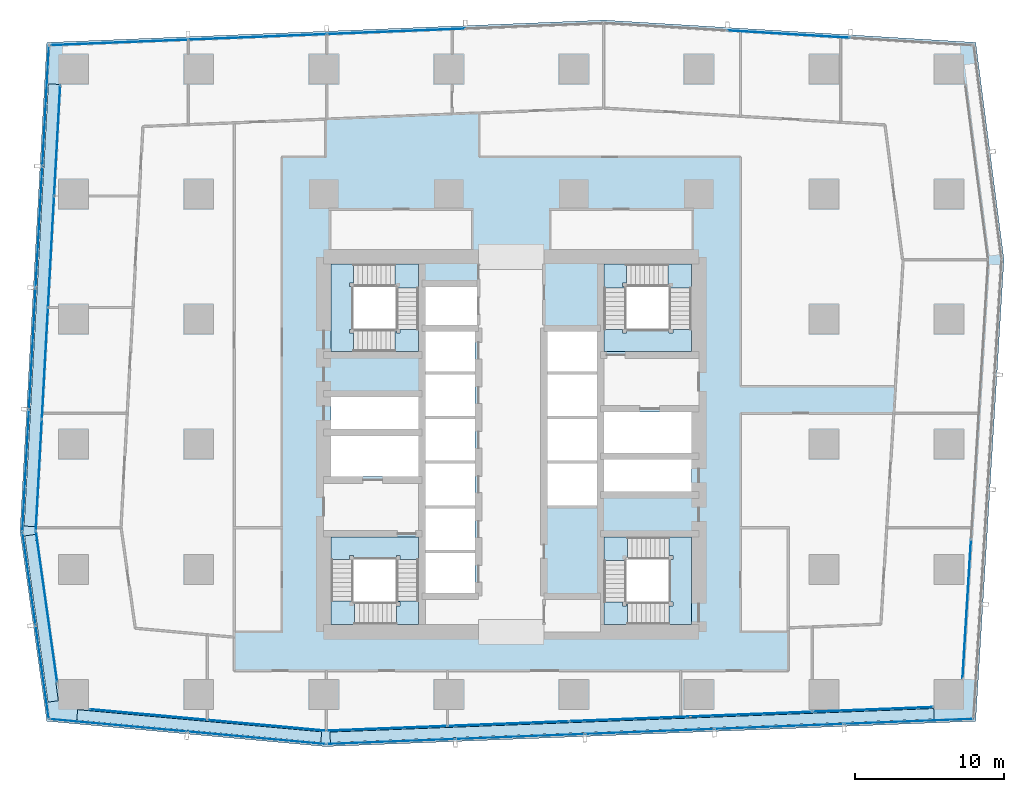
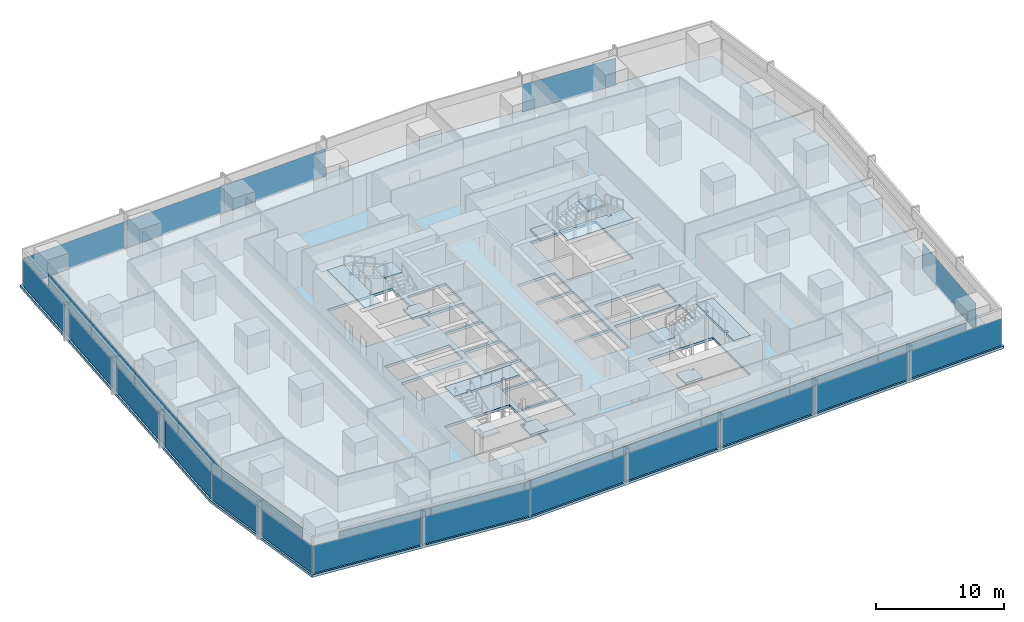
# One storey, part 27 of 39: 34 plates, 13 slabs, 15 elements without a shape of their own.
"""IFC4 building model written with IfcOpenShell, lengths in metres."""

import ifcopenshell
import ifcopenshell.guid

model = None  # the IFC model being written
_history = None  # IfcOwnerHistory: only IFC2X3 demands one
_inside = {}  # id of a spatial element -> (the spatial element, [elements in it])
_under = {}  # id of a project, library or spatial element -> (it, [spatial elements below it])
_declared = {}  # id of a project -> (the project, [libraries it declares])
_typed = {}  # id of a type object -> (the type object, [elements of that type])
_made_of = {}  # id of a material, layer set ... -> (it, [elements and type objects made of it])


def new_model(schema):
    """Start an empty IFC model of exactly this schema.

    Asked for "IFC4X3", IfcOpenShell would pick the latest addendum, in which some entities
    have other attributes; the version numbers below select the first issue.
    IFC2X3 requires an IfcOwnerHistory on every rooted entity: one is made here for all.
    """
    global model, _history
    if schema == "IFC4X3":
        model = ifcopenshell.file(schema_version=(4, 3, 0, 0))
    else:
        model = ifcopenshell.file(schema=schema)
    _inside.clear()
    _under.clear()
    _declared.clear()
    _typed.clear()
    _made_of.clear()
    _history = None
    if model.schema == "IFC2X3":
        org = make("IfcOrganization", Name="unknown")
        user = make(
            "IfcPersonAndOrganization",
            ThePerson=make("IfcPerson", FamilyName="unknown"),
            TheOrganization=org,
        )
        app = make(
            "IfcApplication",
            ApplicationDeveloper=org,
            Version="unknown",
            ApplicationFullName="unknown",
            ApplicationIdentifier="unknown",
        )
        _history = make(
            "IfcOwnerHistory",
            OwningUser=user,
            OwningApplication=app,
            ChangeAction="ADDED",
            CreationDate=0,
        )
    return model


def make(cls, **values):
    """One entity of the class cls with the attributes given. An attribute that is None is left unset."""
    return model.create_entity(
        cls, **{name: value for name, value in values.items() if value is not None}
    )


def rooted(cls, **values):
    """An entity with a GlobalId (a new one), such as an element, a storey or a relation."""
    return make(cls, GlobalId=ifcopenshell.guid.new(), OwnerHistory=_history, **values)


def si_unit(unit_type, name, prefix=None):
    """IfcSIUnit, for example si_unit("LENGTHUNIT", "METRE", prefix="MILLI")."""
    return make("IfcSIUnit", UnitType=unit_type, Prefix=prefix, Name=name)


def assignment(units):
    """IfcUnitAssignment: the units of a project."""
    return None if units is None else make("IfcUnitAssignment", Units=units)


def point(xyz):
    """IfcCartesianPoint."""
    return None if xyz is None else make("IfcCartesianPoint", Coordinates=xyz)


def direction(xyz):
    """IfcDirection."""
    return None if xyz is None else make("IfcDirection", DirectionRatios=xyz)


def frame(location, z_axis=None, x_axis=None):
    """IfcAxis2Placement3D, a coordinate frame: its origin and axes. An axis left out is left unset."""
    return make(
        "IfcAxis2Placement3D",
        Location=point(location),
        Axis=direction(z_axis),
        RefDirection=direction(x_axis),
    )


def frame_2d(location, x_axis=None):
    """IfcAxis2Placement2D, a coordinate frame in the plane: its origin and x axis."""
    return make(
        "IfcAxis2Placement2D", Location=point(location), RefDirection=direction(x_axis)
    )


def origin():
    """The frame at (0, 0, 0) with its axes left unset."""
    return frame((0.0, 0.0, 0.0))


def origin_2d():
    """The frame at (0, 0) in the plane with its x axis left unset."""
    return frame_2d((0.0, 0.0))


def place(relative_to, where):
    """IfcLocalPlacement: puts the frame where relative to a parent placement (None: the world)."""
    return make(
        "IfcLocalPlacement", PlacementRelTo=relative_to, RelativePlacement=where
    )


def context(
    kind, dimensions, precision=None, world=None, true_north=None, identifier=None
):
    """IfcGeometricRepresentationContext, for example the 3D "Model" context."""
    return make(
        "IfcGeometricRepresentationContext",
        ContextIdentifier=identifier,
        ContextType=kind,
        CoordinateSpaceDimension=dimensions,
        Precision=precision,
        WorldCoordinateSystem=world,
        TrueNorth=true_north,
    )


def subcontext(parent, identifier, kind, view, scale=None):
    """IfcGeometricRepresentationSubContext, for example "Body" below "Model"."""
    return make(
        "IfcGeometricRepresentationSubContext",
        ContextIdentifier=identifier,
        ContextType=kind,
        ParentContext=parent,
        TargetScale=scale,
        TargetView=view,
    )


def project(units=None, contexts=None):
    """IfcProject with its units and contexts."""
    return rooted(
        "IfcProject",
        Name="project",
        RepresentationContexts=contexts,
        UnitsInContext=assignment(units),
    )


def spatial(cls, under=None, at=None, **own):
    """A site, building, storey or space (cls), placed at a placement, below another one or the project."""
    s = rooted(cls, ObjectPlacement=at, **own)
    if under is not None:
        _under.setdefault(under.id(), (under, []))[1].append(s)
    return s


def polyline(points):
    """IfcPolyline through the points."""
    return make("IfcPolyline", Points=[point(p) for p in points])


def profile(cls, at=None, kind="AREA", **sizes):
    """A parametric profile (cls). Its sizes go by their IFC names, for example OverallWidth=200.0."""
    return make(cls, ProfileType=kind, Position=at, **sizes)


def rectangle(**sizes):
    """IfcRectangleProfileDef."""
    return profile("IfcRectangleProfileDef", **sizes)


def outline(outer, holes=None, kind="AREA"):
    """IfcArbitraryClosedProfileDef: a profile drawn as a closed curve; with holes, ...WithVoids."""
    if holes is None:
        return make("IfcArbitraryClosedProfileDef", ProfileType=kind, OuterCurve=outer)
    return make(
        "IfcArbitraryProfileDefWithVoids",
        ProfileType=kind,
        OuterCurve=outer,
        InnerCurves=holes,
    )


def extrude(swept, where, along, depth):
    """IfcExtrudedAreaSolid: the profile swept, set in the frame where, extruded along a direction by depth."""
    return make(
        "IfcExtrudedAreaSolid",
        SweptArea=swept,
        Position=where,
        ExtrudedDirection=direction(along),
        Depth=depth,
    )


def shape(context_of_items, identifier, shape_type, items):
    """IfcShapeRepresentation: the items that make up one representation, for example the "Body"."""
    return make(
        "IfcShapeRepresentation",
        ContextOfItems=context_of_items,
        RepresentationIdentifier=identifier,
        RepresentationType=shape_type,
        Items=items,
    )


def material(Name=None, Category=None):
    """IfcMaterial."""
    return make("IfcMaterial", Name=Name, Category=Category)


def layer(
    of_material, thickness, ventilated=None, Name=None, Category=None, Priority=None
):
    """IfcMaterialLayer: one layer of a wall or slab, of a material (None: an air gap)."""
    return make(
        "IfcMaterialLayer",
        Material=of_material,
        LayerThickness=thickness,
        IsVentilated=ventilated,
        Name=Name,
        Category=Category,
        Priority=Priority,
    )


def layer_set(layers, Name=None):
    """IfcMaterialLayerSet."""
    return make("IfcMaterialLayerSet", MaterialLayers=layers, LayerSetName=Name)


def made_of(thing, what):
    """Note that an element or type object is made of a material, layer set ...; save() writes the relation."""
    if what is not None:
        _made_of.setdefault(what.id(), (what, []))[1].append(thing)
    return thing


def type_object(cls, material=None, **own):
    """A type object (cls), such as IfcWallType, which elements share."""
    return made_of(rooted(cls, **own), material)


def element(
    cls,
    number,
    at=None,
    inside=None,
    cuts=None,
    type_object=None,
    material=None,
    context=None,
    identifier="Body",
    shape_type=None,
    held_by="IfcProductDefinitionShape",
    body=None,
    shapes=None,
    **own,
):
    """One element of the class cls, such as IfcWall. Its Tag is "e" and its number.

    at: its placement. inside: the storey or other place that contains it. cuts: it is an
    opening in that element (IfcRelVoidsElement). A single representation is given by context,
    identifier, shape_type and body (its items); several are given by shapes. held_by: the class
    of the entity that holds the representations. save() writes the other relations.
    """
    e = rooted(cls, Tag="e%d" % number, ObjectPlacement=at, **own)
    if body is not None:
        shapes = [shape(context, identifier, shape_type, body)]
    if shapes is not None:
        e.Representation = make(held_by, Representations=shapes)
    if inside is not None:
        _inside.setdefault(inside.id(), (inside, []))[1].append(e)
    if cuts is not None:
        rooted(
            "IfcRelVoidsElement", RelatingBuildingElement=cuts, RelatedOpeningElement=e
        )
    if type_object is not None:
        _typed.setdefault(type_object.id(), (type_object, []))[1].append(e)
    return made_of(e, material)


def aggregate(whole, parts):
    """IfcRelAggregates: a whole, such as a stair, and the parts it consists of."""
    return rooted("IfcRelAggregates", RelatingObject=whole, RelatedObjects=parts)


def save(model, path):
    """Write the relations noted so far, then the file.

    IfcRelAggregates (storeys below a building ...), IfcRelContainedInSpatialStructure (elements
    in a storey), IfcRelDefinesByType, IfcRelAssociatesMaterial and IfcRelDeclares: one each for
    every whole, place, type object, material and project.
    """
    for whole, parts in _under.values():
        aggregate(whole, parts)
    for where, things in _inside.values():
        rooted(
            "IfcRelContainedInSpatialStructure",
            RelatedElements=things,
            RelatingStructure=where,
        )
    for kind, things in _typed.values():
        rooted("IfcRelDefinesByType", RelatedObjects=things, RelatingType=kind)
    for what, things in _made_of.values():
        rooted("IfcRelAssociatesMaterial", RelatedObjects=things, RelatingMaterial=what)
    for by, libraries in _declared.values():
        rooted("IfcRelDeclares", RelatingContext=by, RelatedDefinitions=libraries)
    model.write(path)


model = new_model("IFC4")

# Units and contexts
model_context = context("Model", 3, precision=1e-05, world=origin(), true_north=direction((0.0, 1.0)))
body_context = subcontext(model_context, "Body", "Model", "MODEL_VIEW")
ifc_project = project(units=[si_unit("LENGTHUNIT", "METRE"), si_unit("AREAUNIT", "SQUARE_METRE"), si_unit("VOLUMEUNIT", "CUBIC_METRE"), si_unit("PLANEANGLEUNIT", "RADIAN"), si_unit("MASSUNIT", "GRAM", prefix="KILO")], contexts=[model_context])

# Site, building, storey
site_placement = place(None, origin())
site = spatial("IfcSite", under=ifc_project, at=site_placement, CompositionType="ELEMENT")
building_placement = place(site_placement, origin())
building = spatial("IfcBuilding", under=site, at=building_placement, Name="Rekha Terrace Tower", CompositionType="ELEMENT")
storey_placement = place(building_placement, frame((0.0, 0.0, 147.800048828125)))
storey = spatial("IfcBuildingStorey", under=building, at=storey_placement, Name="L37", CompositionType="ELEMENT", Elevation=147.800048828125)

# Curtain wall, plates
ifc_material_1 = material(Name="Aluminium framing", Category="aluminium")
curtain_wall_type_1 = type_object("IfcCurtainWallType", Name="CW1 double skin inner glazing", PredefinedType="USERDEFINED", material=ifc_material_1)
curtain_wall_1_placement = place(storey_placement, origin())
curtain_wall_1 = element("IfcCurtainWall", 1, at=curtain_wall_1_placement, inside=storey, type_object=curtain_wall_type_1, Name="CW1 double skin inner glazing", ObjectType="DOUBLE SKIN INNER GLAZING", PredefinedType="USERDEFINED")
ifc_material_2 = material(Name="Double-glazed low-e unit 32", Category="glass")
ifc_layer_1 = layer(ifc_material_2, 0.031982421875)
ifc_layer_set_1 = layer_set([ifc_layer_1], Name="Double-glazed low-e unit 32")
plate_type_1 = type_object("IfcPlateType", Name="CW1 jumbo vision panel, double-glazed low-e unit 32", PredefinedType="CURTAIN_PANEL", material=ifc_layer_set_1)
plate_1_placement = place(storey_placement, frame((13.418701171875, 15.445068359375, 0.0), z_axis=(0.0, 0.0, 1.0), x_axis=(0.995901923142, -0.090439811381, 0.0)))
plate_1 = element("IfcPlate", 2, at=plate_1_placement, type_object=plate_type_1, Name="CW1 panel 1.1", PredefinedType="CURTAIN_PANEL", context=body_context, shape_type="SweptSolid", body=[
    extrude(rectangle(XDim=7.898681640625, YDim=0.031982421875, at=origin_2d()), origin(), (0.0, 0.0, 1.0), 2.60009765625),
])
plate_2_placement = place(storey_placement, frame((21.382080078125, 14.721923828125, 0.0), z_axis=(0.0, 0.0, 1.0), x_axis=(0.995901923142, -0.090439811381, 0.0)))
plate_2 = element("IfcPlate", 3, at=plate_2_placement, type_object=plate_type_1, Name="CW1 panel 2.1", PredefinedType="CURTAIN_PANEL", context=body_context, shape_type="SweptSolid", body=[
    extrude(rectangle(XDim=7.963623046875, YDim=0.031982421875, at=origin_2d()), origin(), (0.0, 0.0, 1.0), 2.60009765625),
])
aggregate(curtain_wall_1, [plate_1, plate_2])

curtain_wall_2_placement = place(storey_placement, origin())
curtain_wall_2 = element("IfcCurtainWall", 4, at=curtain_wall_2_placement, inside=storey, type_object=curtain_wall_type_1, Name="CW1 double skin inner glazing", ObjectType="DOUBLE SKIN INNER GLAZING", PredefinedType="USERDEFINED")
plate_3_placement = place(storey_placement, frame((29.446533203125, 14.521484375, 0.0), z_axis=(0.0, 0.0, 1.0), x_axis=(0.999243498918, 0.038889971328, 0.0)))
plate_3 = element("IfcPlate", 5, at=plate_3_placement, type_object=plate_type_1, Name="CW1 panel 1.1", PredefinedType="CURTAIN_PANEL", context=body_context, shape_type="SweptSolid", body=[
    extrude(rectangle(XDim=8.074462890625, YDim=0.031982421875, at=origin_2d()), origin(), (0.0, 0.0, 1.0), 2.60009765625),
])
plate_4_placement = place(storey_placement, frame((37.59619140625, 14.838623046875, 0.0), z_axis=(0.0, 0.0, 1.0), x_axis=(0.999243498918, 0.038889971328, 0.0)))
plate_4 = element("IfcPlate", 6, at=plate_4_placement, type_object=plate_type_1, Name="CW1 panel 2.1", PredefinedType="CURTAIN_PANEL", context=body_context, shape_type="SweptSolid", body=[
    extrude(rectangle(XDim=8.10693359375, YDim=0.031982421875, at=origin_2d()), origin(), (0.0, 0.0, 1.0), 2.60009765625),
])
plate_5_placement = place(storey_placement, frame((45.761962890625, 15.156494140625, 0.0), z_axis=(0.0, 0.0, 1.0), x_axis=(0.999243498918, 0.038889971328, 0.0)))
plate_5 = element("IfcPlate", 7, at=plate_5_placement, type_object=plate_type_1, Name="CW1 panel 3.1", PredefinedType="CURTAIN_PANEL", context=body_context, shape_type="SweptSolid", body=[
    extrude(rectangle(XDim=8.10693359375, YDim=0.031982421875, at=origin_2d()), origin(), (0.0, 0.0, 1.0), 2.60009765625),
])
plate_6_placement = place(storey_placement, frame((53.927734375, 15.47412109375, 0.0), z_axis=(0.0, 0.0, 1.0), x_axis=(0.999243498918, 0.038889971328, 0.0)))
plate_6 = element("IfcPlate", 8, at=plate_6_placement, type_object=plate_type_1, Name="CW1 panel 4.1", PredefinedType="CURTAIN_PANEL", context=body_context, shape_type="SweptSolid", body=[
    extrude(rectangle(XDim=8.10693359375, YDim=0.031982421875, at=origin_2d()), origin(), (0.0, 0.0, 1.0), 2.60009765625),
])
plate_7_placement = place(storey_placement, frame((62.0771484375, 15.791259765625, 0.0), z_axis=(0.0, 0.0, 1.0), x_axis=(0.999243498918, 0.038889971328, 0.0)))
plate_7 = element("IfcPlate", 9, at=plate_7_placement, type_object=plate_type_1, Name="CW1 panel 5.1", PredefinedType="CURTAIN_PANEL", context=body_context, shape_type="SweptSolid", body=[
    extrude(rectangle(XDim=8.074462890625, YDim=0.031982421875, at=origin_2d()), origin(), (0.0, 0.0, 1.0), 2.60009765625),
])
aggregate(curtain_wall_2, [plate_3, plate_4, plate_5, plate_6, plate_7])

# Curtain wall, plate
curtain_wall_3_placement = place(storey_placement, origin())
curtain_wall_3 = element("IfcCurtainWall", 10, at=curtain_wall_3_placement, inside=storey, type_object=curtain_wall_type_1, Name="CW1 double skin inner glazing", ObjectType="DOUBLE SKIN INNER GLAZING", PredefinedType="USERDEFINED")
plate_8_placement = place(storey_placement, frame((68.399658203125, 22.53271484375, 0.0), z_axis=(0.0, 0.0, 1.0), x_axis=(0.061159803131, 0.998127987024, 0.0)))
plate_8 = element("IfcPlate", 11, at=plate_8_placement, type_object=plate_type_1, Name="CW1 panel 1.1", PredefinedType="CURTAIN_PANEL", context=body_context, shape_type="SweptSolid", body=[
    extrude(rectangle(XDim=9.30224609375, YDim=0.031982421875, at=origin_2d()), origin(), (0.0, 0.0, 1.0), 2.60009765625),
])
aggregate(curtain_wall_3, [plate_8])

# Curtain wall, plates
curtain_wall_4_placement = place(storey_placement, origin())
curtain_wall_4 = element("IfcCurtainWall", 12, at=curtain_wall_4_placement, inside=storey, type_object=curtain_wall_type_1, Name="CW1 double skin inner glazing", ObjectType="DOUBLE SKIN INNER GLAZING", PredefinedType="USERDEFINED")
plate_9_placement = place(storey_placement, frame((7.300537109375, 54.013427734375, 0.0), z_axis=(0.0, 0.0, 1.0), x_axis=(-0.054742352707, -0.99850051318, 0.0)))
plate_9 = element("IfcPlate", 13, at=plate_9_placement, type_object=plate_type_1, Name="CW1 panel 1.1", PredefinedType="CURTAIN_PANEL", context=body_context, shape_type="SweptSolid", body=[
    extrude(rectangle(XDim=7.404052734375, YDim=0.031982421875, at=origin_2d()), origin(), (0.0, 0.0, 1.0), 2.60009765625),
])
plate_10_placement = place(storey_placement, frame((6.890625, 46.539306640625, 0.0), z_axis=(0.0, 0.0, 1.0), x_axis=(-0.054742352707, -0.99850051318, 0.0)))
plate_10 = element("IfcPlate", 14, at=plate_10_placement, type_object=plate_type_1, Name="CW1 panel 2.1", PredefinedType="CURTAIN_PANEL", context=body_context, shape_type="SweptSolid", body=[
    extrude(rectangle(XDim=7.4365234375, YDim=0.031982421875, at=origin_2d()), origin(), (0.0, 0.0, 1.0), 2.60009765625),
])
plate_11_placement = place(storey_placement, frame((6.47998046875, 39.048828125, 0.0), z_axis=(0.0, 0.0, 1.0), x_axis=(-0.054742352707, -0.99850051318, 0.0)))
plate_11 = element("IfcPlate", 15, at=plate_11_placement, type_object=plate_type_1, Name="CW1 panel 3.1", PredefinedType="CURTAIN_PANEL", context=body_context, shape_type="SweptSolid", body=[
    extrude(rectangle(XDim=7.4365234375, YDim=0.031982421875, at=origin_2d()), origin(), (0.0, 0.0, 1.0), 2.60009765625),
])
plate_12_placement = place(storey_placement, frame((6.068603515625, 31.542236328125, 0.0), z_axis=(0.0, 0.0, 1.0), x_axis=(-0.054742352707, -0.99850051318, 0.0)))
plate_12 = element("IfcPlate", 16, at=plate_12_placement, type_object=plate_type_1, Name="CW1 panel 4.1", PredefinedType="CURTAIN_PANEL", context=body_context, shape_type="SweptSolid", body=[
    extrude(rectangle(XDim=7.468994140625, YDim=0.031982421875, at=origin_2d()), origin(), (0.0, 0.0, 1.0), 2.60009765625),
])
aggregate(curtain_wall_4, [plate_9, plate_10, plate_11, plate_12])

# Curtain wall, plate
curtain_wall_5_placement = place(storey_placement, origin())
curtain_wall_5 = element("IfcCurtainWall", 17, at=curtain_wall_5_placement, inside=storey, type_object=curtain_wall_type_1, Name="CW1 double skin inner glazing", ObjectType="DOUBLE SKIN INNER GLAZING", PredefinedType="USERDEFINED")
plate_13_placement = place(storey_placement, frame((6.58349609375, 22.70947265625, 0.0), z_axis=(0.0, 0.0, 1.0), x_axis=(0.139597048082, -0.990208394312, 0.0)))
plate_13 = element("IfcPlate", 18, at=plate_13_placement, type_object=plate_type_1, Name="CW1 panel 1.1", PredefinedType="CURTAIN_PANEL", context=body_context, shape_type="SweptSolid", body=[
    extrude(rectangle(XDim=10.1787109375, YDim=0.031982421875, at=origin_2d()), origin(), (0.0, 0.0, 1.0), 2.60009765625),
])
aggregate(curtain_wall_5, [plate_13])

# Curtain wall, plates
curtain_wall_type_2 = type_object("IfcCurtainWallType", Name="CW2 double skin outer glazing", PredefinedType="USERDEFINED", material=ifc_material_1)
curtain_wall_6_placement = place(storey_placement, origin())
curtain_wall_6 = element("IfcCurtainWall", 19, at=curtain_wall_6_placement, inside=storey, type_object=curtain_wall_type_2, Name="CW2 double skin outer glazing", ObjectType="DOUBLE SKIN OUTER GLAZING", PredefinedType="USERDEFINED")
ifc_material_3 = material(Name="Toughened single glazing 12", Category="glass")
ifc_layer_2 = layer(ifc_material_3, 0.011962890625)
ifc_layer_set_2 = layer_set([ifc_layer_2], Name="Toughened single glazing 12")
plate_type_2 = type_object("IfcPlateType", Name="CW2 jumbo vision panel, toughened single glazing 12", PredefinedType="CURTAIN_PANEL", material=ifc_layer_set_2)
plate_14_placement = place(storey_placement, frame((11.406494140625, 14.72412109375, 0.0), z_axis=(0.0, 0.0, 1.0), x_axis=(0.995901923137, -0.090439811433, 0.0)))
plate_14 = element("IfcPlate", 20, at=plate_14_placement, type_object=plate_type_2, Name="CW2 panel 1.1", PredefinedType="CURTAIN_PANEL", context=body_context, shape_type="SweptSolid", body=[
    extrude(rectangle(XDim=9.2099609375, YDim=0.011962890625, at=origin_2d()), origin(), (0.0, 0.0, 1.0), 2.60009765625),
])
plate_15_placement = place(storey_placement, frame((20.6982421875, 13.88037109375, 0.0), z_axis=(0.0, 0.0, 1.0), x_axis=(0.995901923137, -0.090439811433, 0.0)))
plate_15 = element("IfcPlate", 21, at=plate_15_placement, type_object=plate_type_2, Name="CW2 panel 2.1", PredefinedType="CURTAIN_PANEL", context=body_context, shape_type="SweptSolid", body=[
    extrude(rectangle(XDim=9.2900390625, YDim=0.011962890625, at=origin_2d()), origin(), (0.0, 0.0, 1.0), 2.60009765625),
])
aggregate(curtain_wall_6, [plate_14, plate_15])

curtain_wall_7_placement = place(storey_placement, origin())
curtain_wall_7 = element("IfcCurtainWall", 22, at=curtain_wall_7_placement, inside=storey, type_object=curtain_wall_type_2, Name="CW2 double skin outer glazing", ObjectType="DOUBLE SKIN OUTER GLAZING", PredefinedType="USERDEFINED")
plate_16_placement = place(storey_placement, frame((29.696533203125, 13.63037109375, 0.0), z_axis=(0.0, 0.0, 1.0), x_axis=(0.999243498917, 0.038889971345, 0.0)))
plate_16 = element("IfcPlate", 23, at=plate_16_placement, type_object=plate_type_2, Name="CW2 panel 1.1", PredefinedType="CURTAIN_PANEL", context=body_context, shape_type="SweptSolid", body=[
    extrude(rectangle(XDim=8.591552734375, YDim=0.011962890625, at=origin_2d()), origin(), (0.0, 0.0, 1.0), 2.60009765625),
])
plate_17_placement = place(storey_placement, frame((38.381591796875, 13.968505859375, 0.0), z_axis=(0.0, 0.0, 1.0), x_axis=(0.999243498917, 0.038889971345, 0.0)))
plate_17 = element("IfcPlate", 24, at=plate_17_placement, type_object=plate_type_2, Name="CW2 panel 2.1", PredefinedType="CURTAIN_PANEL", context=body_context, shape_type="SweptSolid", body=[
    extrude(rectangle(XDim=8.631591796875, YDim=0.011962890625, at=origin_2d()), origin(), (0.0, 0.0, 1.0), 2.60009765625),
])
plate_18_placement = place(storey_placement, frame((47.086669921875, 14.307373046875, 0.0), z_axis=(0.0, 0.0, 1.0), x_axis=(0.999243498917, 0.038889971345, 0.0)))
plate_18 = element("IfcPlate", 25, at=plate_18_placement, type_object=plate_type_2, Name="CW2 panel 3.1", PredefinedType="CURTAIN_PANEL", context=body_context, shape_type="SweptSolid", body=[
    extrude(rectangle(XDim=8.631591796875, YDim=0.011962890625, at=origin_2d()), origin(), (0.0, 0.0, 1.0), 2.60009765625),
])
plate_19_placement = place(storey_placement, frame((55.791748046875, 14.64599609375, 0.0), z_axis=(0.0, 0.0, 1.0), x_axis=(0.999243498917, 0.038889971345, 0.0)))
plate_19 = element("IfcPlate", 26, at=plate_19_placement, type_object=plate_type_2, Name="CW2 panel 4.1", PredefinedType="CURTAIN_PANEL", context=body_context, shape_type="SweptSolid", body=[
    extrude(rectangle(XDim=8.631591796875, YDim=0.011962890625, at=origin_2d()), origin(), (0.0, 0.0, 1.0), 2.60009765625),
])
plate_20_placement = place(storey_placement, frame((64.5166015625, 14.985595703125, 0.0), z_axis=(0.0, 0.0, 1.0), x_axis=(0.999243498917, 0.038889971345, 0.0)))
plate_20 = element("IfcPlate", 27, at=plate_20_placement, type_object=plate_type_2, Name="CW2 panel 5.1", PredefinedType="CURTAIN_PANEL", context=body_context, shape_type="SweptSolid", body=[
    extrude(rectangle(XDim=8.671630859375, YDim=0.011962890625, at=origin_2d()), origin(), (0.0, 0.0, 1.0), 2.60009765625),
])
aggregate(curtain_wall_7, [plate_16, plate_17, plate_18, plate_19, plate_20])

curtain_wall_8_placement = place(storey_placement, origin())
curtain_wall_8 = element("IfcCurtainWall", 28, at=curtain_wall_8_placement, inside=storey, type_object=curtain_wall_type_2, Name="CW2 double skin outer glazing", ObjectType="DOUBLE SKIN OUTER GLAZING", PredefinedType="USERDEFINED")
plate_21_placement = place(storey_placement, frame((6.52685546875, 56.342041015625, 0.0), z_axis=(0.0, 0.0, 1.0), x_axis=(-0.054742352707, -0.99850051318, 0.0)))
plate_21 = element("IfcPlate", 29, at=plate_21_placement, type_object=plate_type_2, Name="CW2 panel 1.1", PredefinedType="CURTAIN_PANEL", context=body_context, shape_type="SweptSolid", body=[
    extrude(rectangle(XDim=8.06005859375, YDim=0.011962890625, at=origin_2d()), origin(), (0.0, 0.0, 1.0), 2.60009765625),
])
plate_22_placement = place(storey_placement, frame((6.080078125, 48.1943359375, 0.0), z_axis=(0.0, 0.0, 1.0), x_axis=(-0.054742352707, -0.99850051318, 0.0)))
plate_22 = element("IfcPlate", 30, at=plate_22_placement, type_object=plate_type_2, Name="CW2 panel 2.1", PredefinedType="CURTAIN_PANEL", context=body_context, shape_type="SweptSolid", body=[
    extrude(rectangle(XDim=8.10009765625, YDim=0.011962890625, at=origin_2d()), origin(), (0.0, 0.0, 1.0), 2.60009765625),
])
plate_23_placement = place(storey_placement, frame((5.63232421875, 40.026611328125, 0.0), z_axis=(0.0, 0.0, 1.0), x_axis=(-0.054742352707, -0.99850051318, 0.0)))
plate_23 = element("IfcPlate", 31, at=plate_23_placement, type_object=plate_type_2, Name="CW2 panel 3.1", PredefinedType="CURTAIN_PANEL", context=body_context, shape_type="SweptSolid", body=[
    extrude(rectangle(XDim=8.10009765625, YDim=0.011962890625, at=origin_2d()), origin(), (0.0, 0.0, 1.0), 2.60009765625),
])
plate_24_placement = place(storey_placement, frame((5.183349609375, 31.8388671875, 0.0), z_axis=(0.0, 0.0, 1.0), x_axis=(-0.054742352707, -0.99850051318, 0.0)))
plate_24 = element("IfcPlate", 32, at=plate_24_placement, type_object=plate_type_2, Name="CW2 panel 4.1", PredefinedType="CURTAIN_PANEL", context=body_context, shape_type="SweptSolid", body=[
    extrude(rectangle(XDim=8.14013671875, YDim=0.011962890625, at=origin_2d()), origin(), (0.0, 0.0, 1.0), 2.60009765625),
])
aggregate(curtain_wall_8, [plate_21, plate_22, plate_23, plate_24])

curtain_wall_9_placement = place(storey_placement, origin())
curtain_wall_9 = element("IfcCurtainWall", 33, at=curtain_wall_9_placement, inside=storey, type_object=curtain_wall_type_2, Name="CW2 double skin outer glazing", ObjectType="DOUBLE SKIN OUTER GLAZING", PredefinedType="USERDEFINED")
plate_25_placement = place(storey_placement, frame((5.408447265625, 24.598388671875, 0.0), z_axis=(0.0, 0.0, 1.0), x_axis=(0.139597048082, -0.990208394312, 0.0)))
plate_25 = element("IfcPlate", 34, at=plate_25_placement, type_object=plate_type_2, Name="CW2 panel 1.1", PredefinedType="CURTAIN_PANEL", context=body_context, shape_type="SweptSolid", body=[
    extrude(rectangle(XDim=6.255859375, YDim=0.011962890625, at=origin_2d()), origin(), (0.0, 0.0, 1.0), 2.60009765625),
])
plate_26_placement = place(storey_placement, frame((6.298583984375, 18.284912109375, 0.0), z_axis=(0.0, 0.0, 1.0), x_axis=(0.139597048082, -0.990208394312, 0.0)))
plate_26 = element("IfcPlate", 35, at=plate_26_placement, type_object=plate_type_2, Name="CW2 panel 2.1", PredefinedType="CURTAIN_PANEL", context=body_context, shape_type="SweptSolid", body=[
    extrude(rectangle(XDim=6.3359375, YDim=0.011962890625, at=origin_2d()), origin(), (0.0, 0.0, 1.0), 2.60009765625),
])
aggregate(curtain_wall_9, [plate_25, plate_26])

# Curtain wall, plate
curtain_wall_type_3 = type_object("IfcCurtainWallType", Name="CW3 north unitised glazing", PredefinedType="USERDEFINED", material=ifc_material_1)
curtain_wall_10_placement = place(storey_placement, origin())
curtain_wall_10 = element("IfcCurtainWall", 36, at=curtain_wall_10_placement, inside=storey, type_object=curtain_wall_type_3, Name="CW3 unitised curtain wall", ObjectType="UNITISED CURTAIN WALL", PredefinedType="USERDEFINED")
ifc_material_4 = material(Name="Double-glazed unit 28", Category="glass")
ifc_layer_3 = layer(ifc_material_4, 0.028076171875)
ifc_layer_set_3 = layer_set([ifc_layer_3], Name="Double-glazed unit 28")
plate_type_3 = type_object("IfcPlateType", Name="CW3 jumbo vision panel, double-glazed unit 28", PredefinedType="CURTAIN_PANEL", material=ifc_layer_set_3)
plate_27_placement = place(storey_placement, frame((56.430419921875, 61.155029296875, 0.0), z_axis=(0.0, 0.0, 1.0), x_axis=(-0.998199102701, 0.059987926837, 0.0)))
plate_27 = element("IfcPlate", 37, at=plate_27_placement, type_object=plate_type_3, Name="CW3 panel 2.1", PredefinedType="CURTAIN_PANEL", context=body_context, shape_type="SweptSolid", body=[
    extrude(rectangle(XDim=8.20654296875, YDim=0.028076171875, at=origin_2d()), origin(), (0.0, 0.0, 1.0), 2.60009765625),
])
aggregate(curtain_wall_10, [plate_27])

# Curtain wall, plates
curtain_wall_11_placement = place(storey_placement, origin())
curtain_wall_11 = element("IfcCurtainWall", 38, at=curtain_wall_11_placement, inside=storey, type_object=curtain_wall_type_3, Name="CW3 unitised curtain wall", ObjectType="UNITISED CURTAIN WALL", PredefinedType="USERDEFINED")
plate_28_placement = place(storey_placement, frame((30.06982421875, 61.340087890625, 0.0), z_axis=(0.0, 0.0, 1.0), x_axis=(-0.999198398721, -0.040031987119, 0.0)))
plate_28 = element("IfcPlate", 39, at=plate_28_placement, type_object=plate_type_3, Name="CW3 panel 2.1", PredefinedType="CURTAIN_PANEL", context=body_context, shape_type="SweptSolid", body=[
    extrude(rectangle(XDim=9.24951171875, YDim=0.028076171875, at=origin_2d()), origin(), (0.0, 0.0, 1.0), 2.60009765625),
])
plate_29_placement = place(storey_placement, frame((20.7578125, 60.967041015625, 0.0), z_axis=(0.0, 0.0, 1.0), x_axis=(-0.999198398721, -0.040031987119, 0.0)))
plate_29 = element("IfcPlate", 40, at=plate_29_placement, type_object=plate_type_3, Name="CW3 panel 3.1", PredefinedType="CURTAIN_PANEL", context=body_context, shape_type="SweptSolid", body=[
    extrude(rectangle(XDim=9.24951171875, YDim=0.028076171875, at=origin_2d()), origin(), (0.0, 0.0, 1.0), 2.60009765625),
])
plate_30_placement = place(storey_placement, frame((11.46337890625, 60.5947265625, 0.0), z_axis=(0.0, 0.0, 1.0), x_axis=(-0.999198398721, -0.040031987119, 0.0)))
plate_30 = element("IfcPlate", 41, at=plate_30_placement, type_object=plate_type_3, Name="CW3 panel 4.1", PredefinedType="CURTAIN_PANEL", context=body_context, shape_type="SweptSolid", body=[
    extrude(rectangle(XDim=9.214599609375, YDim=0.028076171875, at=origin_2d()), origin(), (0.0, 0.0, 1.0), 2.60009765625),
])
aggregate(curtain_wall_11, [plate_28, plate_29, plate_30])

# Plates
ifc_material_5 = material(Name="Galvanised steel open grating", Category="steel")
ifc_layer_4 = layer(ifc_material_5, 0.050048828125)
ifc_layer_set_4 = layer_set([ifc_layer_4], Name="Galvanised steel open grating")
plate_type_4 = type_object("IfcPlateType", Name="GT1 cavity walkway grating 50", PredefinedType="USERDEFINED", material=ifc_layer_set_4)
plate_31_placement = place(storey_placement, frame((16.838623046875, 14.6826171875, 0.0), z_axis=(0.0, 0.0, 1.0), x_axis=(0.99590192314, -0.090439811399, 0.0)))
element("IfcPlate", 42, at=plate_31_placement, inside=storey, type_object=plate_type_4, Name="Cavity walkway grating", ObjectType="CAVITY WALKWAY GRATING", PredefinedType="USERDEFINED", context=body_context, shape_type="SweptSolid", body=[
    extrude(rectangle(XDim=16.464111328125, YDim=0.705078125, at=origin_2d()), origin(), (0.0, 0.0, 1.0), 0.050048828125),
])
plate_32_placement = place(storey_placement, frame((45.91357421875, 14.7119140625, 0.0), z_axis=(0.0, 0.0, 1.0), x_axis=(0.999243498917, 0.038889971345, 0.0)))
element("IfcPlate", 43, at=plate_32_placement, inside=storey, type_object=plate_type_4, Name="Cavity walkway grating", ObjectType="CAVITY WALKWAY GRATING", PredefinedType="USERDEFINED", context=body_context, shape_type="SweptSolid", body=[
    extrude(rectangle(XDim=40.586669921875, YDim=0.705078125, at=origin_2d()), origin(), (0.0, 0.0, 1.0), 0.050048828125),
])
plate_33_placement = place(storey_placement, frame((6.2431640625, 42.9462890625, 0.0), z_axis=(0.0, 0.0, 1.0), x_axis=(-0.05474235269, -0.998500513181, 0.0)))
element("IfcPlate", 44, at=plate_33_placement, inside=storey, type_object=plate_type_4, Name="Cavity walkway grating", ObjectType="CAVITY WALKWAY GRATING", PredefinedType="USERDEFINED", context=body_context, shape_type="SweptSolid", body=[
    extrude(rectangle(XDim=29.749755859375, YDim=0.705078125, at=origin_2d()), origin(), (0.0, 0.0, 1.0), 0.050048828125),
])
plate_34_placement = place(storey_placement, frame((6.2412109375, 21.9140625, 0.0), z_axis=(0.0, 0.0, 1.0), x_axis=(0.139597048064, -0.990208394315, 0.0)))
element("IfcPlate", 45, at=plate_34_placement, inside=storey, type_object=plate_type_4, Name="Cavity walkway grating", ObjectType="CAVITY WALKWAY GRATING", PredefinedType="USERDEFINED", context=body_context, shape_type="SweptSolid", body=[
    extrude(rectangle(XDim=11.276123046875, YDim=0.705078125, at=origin_2d()), origin(), (0.0, 0.0, 1.0), 0.050048828125),
])

# Stair, slabs
ifc_material_6 = material(Name="Concrete M40", Category="concrete")
stair_type = type_object("IfcStairType", Name="ST30 stair, 30 risers of 125, going 310, 1500 wide flights, 3 flights", PredefinedType="HALF_TURN_STAIR", material=ifc_material_6)
stair_1_placement = place(storey_placement, origin())
stair_1 = element("IfcStair", 46, at=stair_1_placement, inside=storey, type_object=stair_type, Name="Stair ST1 L37 to L38", PredefinedType="HALF_TURN_STAIR")
ifc_layer_5 = layer(ifc_material_6, 0.199951171875)
ifc_layer_set_5 = layer_set([ifc_layer_5], Name="Concrete M40")
slab_type_1 = type_object("IfcSlabType", Name="LD1 200 concrete stair landing", PredefinedType="LANDING", material=ifc_layer_set_5)
slab_1_placement = place(storey_placement, frame((0.0, 0.0, 1.050048828125)))
slab_1 = element("IfcSlab", 47, at=slab_1_placement, type_object=slab_type_1, Name="ST1 landing 1", PredefinedType="LANDING", context=body_context, shape_type="SweptSolid", body=[
    extrude(outline(polyline([(30.074951171875, 21.5), (31.574951171875, 21.5), (31.574951171875, 23.0849609375), (30.074951171875, 23.0849609375), (30.074951171875, 23.0), (30.324951171875, 23.0), (30.324951171875, 22.75), (30.074951171875, 22.75), (30.074951171875, 21.5)])), origin(), (0.0, 0.0, 1.0), 0.199951171875),
])
slab_2_placement = place(storey_placement, frame((0.0, 0.0, 2.300048828125)))
slab_2 = element("IfcSlab", 48, at=slab_2_placement, type_object=slab_type_1, Name="ST1 landing 2", PredefinedType="LANDING", context=body_context, shape_type="SweptSolid", body=[
    extrude(outline(polyline([(27.199951171875, 23.0849609375), (25.699951171875, 23.0849609375), (25.699951171875, 21.5), (27.284912109375, 21.5), (27.284912109375, 23.0), (27.199951171875, 23.0), (27.199951171875, 23.0849609375)])), origin(), (0.0, 0.0, 1.0), 0.199951171875),
])
slab_3_placement = place(storey_placement, frame((0.0, 0.0, 3.550048828125)))
slab_3 = element("IfcSlab", 49, at=slab_3_placement, type_object=slab_type_1, Name="ST1 landing 3", PredefinedType="LANDING", context=body_context, shape_type="SweptSolid", body=[
    extrude(outline(polyline([(31.574951171875, 25.875), (31.574951171875, 27.375), (25.699951171875, 27.375), (25.699951171875, 25.875), (26.949951171875, 25.875), (26.949951171875, 26.125), (27.199951171875, 26.125), (27.199951171875, 25.875), (30.074951171875, 25.875), (30.074951171875, 26.125), (30.324951171875, 26.125), (30.324951171875, 25.875), (31.574951171875, 25.875)])), origin(), (0.0, 0.0, 1.0), 0.199951171875),
])
aggregate(stair_1, [slab_1, slab_2, slab_3])

stair_2_placement = place(storey_placement, origin())
stair_2 = element("IfcStair", 50, at=stair_2_placement, inside=storey, type_object=stair_type, Name="Stair ST2 L37 to L38", PredefinedType="HALF_TURN_STAIR")
slab_4_placement = place(storey_placement, frame((0.0, 0.0, 1.050048828125)))
slab_4 = element("IfcSlab", 51, at=slab_4_placement, type_object=slab_type_1, Name="ST2 landing 1", PredefinedType="LANDING", context=body_context, shape_type="SweptSolid", body=[
    extrude(outline(polyline([(45.52490234375, 45.699951171875), (44.02490234375, 45.699951171875), (44.02490234375, 44.114990234375), (45.52490234375, 44.114990234375), (45.52490234375, 44.199951171875), (45.27490234375, 44.199951171875), (45.27490234375, 44.449951171875), (45.52490234375, 44.449951171875), (45.52490234375, 45.699951171875)])), origin(), (0.0, 0.0, 1.0), 0.199951171875),
])
slab_5_placement = place(storey_placement, frame((0.0, 0.0, 2.300048828125)))
slab_5 = element("IfcSlab", 52, at=slab_5_placement, type_object=slab_type_1, Name="ST2 landing 2", PredefinedType="LANDING", context=body_context, shape_type="SweptSolid", body=[
    extrude(outline(polyline([(48.39990234375, 44.114990234375), (49.89990234375, 44.114990234375), (49.89990234375, 45.699951171875), (48.31494140625, 45.699951171875), (48.31494140625, 44.199951171875), (48.39990234375, 44.199951171875), (48.39990234375, 44.114990234375)])), origin(), (0.0, 0.0, 1.0), 0.199951171875),
])
slab_6_placement = place(storey_placement, frame((0.0, 0.0, 3.550048828125)))
slab_6 = element("IfcSlab", 53, at=slab_6_placement, type_object=slab_type_1, Name="ST2 landing 3", PredefinedType="LANDING", context=body_context, shape_type="SweptSolid", body=[
    extrude(outline(polyline([(44.02490234375, 41.324951171875), (44.02490234375, 39.824951171875), (49.89990234375, 39.824951171875), (49.89990234375, 41.324951171875), (48.64990234375, 41.324951171875), (48.64990234375, 41.074951171875), (48.39990234375, 41.074951171875), (48.39990234375, 41.324951171875), (45.52490234375, 41.324951171875), (45.52490234375, 41.074951171875), (45.27490234375, 41.074951171875), (45.27490234375, 41.324951171875), (44.02490234375, 41.324951171875)])), origin(), (0.0, 0.0, 1.0), 0.199951171875),
])
aggregate(stair_2, [slab_4, slab_5, slab_6])

stair_3_placement = place(storey_placement, origin())
stair_3 = element("IfcStair", 54, at=stair_3_placement, inside=storey, type_object=stair_type, Name="Stair ST3 L37 to L38", PredefinedType="HALF_TURN_STAIR")
slab_7_placement = place(storey_placement, frame((0.0, 0.0, 1.050048828125)))
slab_7 = element("IfcSlab", 55, at=slab_7_placement, type_object=slab_type_1, Name="ST3 landing 1", PredefinedType="LANDING", context=body_context, shape_type="SweptSolid", body=[
    extrude(outline(polyline([(44.02490234375, 23.0), (44.02490234375, 21.5), (45.610107421875, 21.5), (45.610107421875, 23.0), (45.52490234375, 23.0), (45.52490234375, 22.75), (45.27490234375, 22.75), (45.27490234375, 23.0), (44.02490234375, 23.0)])), origin(), (0.0, 0.0, 1.0), 0.199951171875),
])
slab_8_placement = place(storey_placement, frame((0.0, 0.0, 2.300048828125)))
slab_8 = element("IfcSlab", 56, at=slab_8_placement, type_object=slab_type_1, Name="ST3 landing 2", PredefinedType="LANDING", context=body_context, shape_type="SweptSolid", body=[
    extrude(outline(polyline([(45.610107421875, 25.875), (45.610107421875, 27.375), (44.02490234375, 27.375), (44.02490234375, 25.7900390625), (45.52490234375, 25.7900390625), (45.52490234375, 25.875), (45.610107421875, 25.875)])), origin(), (0.0, 0.0, 1.0), 0.199951171875),
])
slab_9_placement = place(storey_placement, frame((0.0, 0.0, 3.550048828125)))
slab_9 = element("IfcSlab", 57, at=slab_9_placement, type_object=slab_type_1, Name="ST3 landing 3", PredefinedType="LANDING", context=body_context, shape_type="SweptSolid", body=[
    extrude(outline(polyline([(48.39990234375, 21.5), (49.89990234375, 21.5), (49.89990234375, 27.375), (48.39990234375, 27.375), (48.39990234375, 26.125), (48.64990234375, 26.125), (48.64990234375, 25.875), (48.39990234375, 25.875), (48.39990234375, 23.0), (48.64990234375, 23.0), (48.64990234375, 22.75), (48.39990234375, 22.75), (48.39990234375, 21.5)])), origin(), (0.0, 0.0, 1.0), 0.199951171875),
])
aggregate(stair_3, [slab_7, slab_8, slab_9])

stair_4_placement = place(storey_placement, origin())
stair_4 = element("IfcStair", 58, at=stair_4_placement, inside=storey, type_object=stair_type, Name="Stair ST4 L37 to L38", PredefinedType="HALF_TURN_STAIR")
slab_10_placement = place(storey_placement, frame((0.0, 0.0, 1.050048828125)))
slab_10 = element("IfcSlab", 59, at=slab_10_placement, type_object=slab_type_1, Name="ST4 landing 1", PredefinedType="LANDING", context=body_context, shape_type="SweptSolid", body=[
    extrude(outline(polyline([(31.574951171875, 41.324951171875), (31.574951171875, 39.824951171875), (29.989990234375, 39.824951171875), (29.989990234375, 41.324951171875), (30.074951171875, 41.324951171875), (30.074951171875, 41.074951171875), (30.324951171875, 41.074951171875), (30.324951171875, 41.324951171875), (31.574951171875, 41.324951171875)])), origin(), (0.0, 0.0, 1.0), 0.199951171875),
])
slab_11_placement = place(storey_placement, frame((0.0, 0.0, 2.300048828125)))
slab_11 = element("IfcSlab", 60, at=slab_11_placement, type_object=slab_type_1, Name="ST4 landing 2", PredefinedType="LANDING", context=body_context, shape_type="SweptSolid", body=[
    extrude(outline(polyline([(29.989990234375, 44.199951171875), (29.989990234375, 45.699951171875), (31.574951171875, 45.699951171875), (31.574951171875, 44.114990234375), (30.074951171875, 44.114990234375), (30.074951171875, 44.199951171875), (29.989990234375, 44.199951171875)])), origin(), (0.0, 0.0, 1.0), 0.199951171875),
])
slab_12_placement = place(storey_placement, frame((0.0, 0.0, 3.550048828125)))
slab_12 = element("IfcSlab", 61, at=slab_12_placement, type_object=slab_type_1, Name="ST4 landing 3", PredefinedType="LANDING", context=body_context, shape_type="SweptSolid", body=[
    extrude(outline(polyline([(27.199951171875, 39.824951171875), (25.699951171875, 39.824951171875), (25.699951171875, 45.699951171875), (27.199951171875, 45.699951171875), (27.199951171875, 44.449951171875), (26.949951171875, 44.449951171875), (26.949951171875, 44.199951171875), (27.199951171875, 44.199951171875), (27.199951171875, 41.324951171875), (26.949951171875, 41.324951171875), (26.949951171875, 41.074951171875), (27.199951171875, 41.074951171875), (27.199951171875, 39.824951171875)])), origin(), (0.0, 0.0, 1.0), 0.199951171875),
])
aggregate(stair_4, [slab_10, slab_11, slab_12])

# Slab
ifc_material_7 = material(Name="Concrete M50", Category="concrete")
ifc_layer_6 = layer(ifc_material_7, 0.25)
ifc_layer_set_6 = layer_set([ifc_layer_6], Name="Concrete M50")
slab_type_2 = type_object("IfcSlabType", Name="SL4 250 post-tensioned flat plate", PredefinedType="FLOOR", material=ifc_layer_set_6)
slab_13_placement = place(storey_placement, frame((0.0, 0.0, -0.25)))
element("IfcSlab", 62, at=slab_13_placement, inside=storey, type_object=slab_type_2, Name="Post-tensioned flat plate L37", PredefinedType="FLOOR", context=body_context, shape_type="SweptSolid", body=[
    extrude(outline(polyline([(4.800048828125, 27.76806640625), (6.60009765625, 15.0), (25.320068359375, 13.300048828125), (69.0, 15.0), (70.89990234375, 46.008056640625), (69.0, 60.60009765625), (44.0400390625, 62.10009765625), (6.60009765625, 60.60009765625), (4.800048828125, 27.76806640625)]), holes=[polyline([(31.574951171875, 27.375), (31.574951171875, 21.5), (25.699951171875, 21.5), (25.699951171875, 27.375), (31.574951171875, 27.375)]), polyline([(35.375, 26.300048828125), (35.375, 23.625), (32.02490234375, 23.625), (32.02490234375, 26.300048828125), (35.375, 26.300048828125)]), polyline([(35.375, 29.300048828125), (35.375, 26.5), (32.02490234375, 26.5), (32.02490234375, 29.300048828125), (35.375, 29.300048828125)]), polyline([(35.375, 32.300048828125), (35.375, 29.5), (32.02490234375, 29.5), (32.02490234375, 32.300048828125), (35.375, 32.300048828125)]), polyline([(31.574951171875, 34.175048828125), (31.574951171875, 31.425048828125), (25.699951171875, 31.425048828125), (25.699951171875, 34.175048828125), (31.574951171875, 34.175048828125)]), polyline([(35.375, 35.300048828125), (35.375, 32.5), (32.02490234375, 32.5), (32.02490234375, 35.300048828125), (35.375, 35.300048828125)]), polyline([(31.574951171875, 36.77490234375), (31.574951171875, 34.625), (25.699951171875, 34.625), (25.699951171875, 36.77490234375), (31.574951171875, 36.77490234375)]), polyline([(35.375, 35.5), (32.02490234375, 35.5), (32.02490234375, 38.300048828125), (35.375, 38.300048828125), (35.375, 35.5)]), polyline([(35.375, 38.5), (32.02490234375, 38.5), (32.02490234375, 41.175048828125), (35.375, 41.175048828125), (35.375, 38.5)]), polyline([(31.574951171875, 45.699951171875), (31.574951171875, 39.824951171875), (25.699951171875, 39.824951171875), (25.699951171875, 45.699951171875), (31.574951171875, 45.699951171875)]), polyline([(49.89990234375, 27.375), (49.89990234375, 21.5), (44.02490234375, 21.5), (44.02490234375, 27.375), (49.89990234375, 27.375)]), polyline([(43.574951171875, 32.300048828125), (43.574951171875, 29.5), (40.22509765625, 29.5), (40.22509765625, 32.300048828125), (43.574951171875, 32.300048828125)]), polyline([(49.89990234375, 30.425048828125), (44.02490234375, 30.425048828125), (44.02490234375, 32.574951171875), (49.89990234375, 32.574951171875), (49.89990234375, 30.425048828125)]), polyline([(43.574951171875, 32.5), (40.22509765625, 32.5), (40.22509765625, 35.300048828125), (43.574951171875, 35.300048828125), (43.574951171875, 32.5)]), polyline([(49.89990234375, 35.77490234375), (49.89990234375, 33.02490234375), (44.02490234375, 33.02490234375), (44.02490234375, 35.77490234375), (49.89990234375, 35.77490234375)]), polyline([(43.574951171875, 38.300048828125), (43.574951171875, 35.5), (40.22509765625, 35.5), (40.22509765625, 38.300048828125), (43.574951171875, 38.300048828125)]), polyline([(43.574951171875, 41.175048828125), (43.574951171875, 38.5), (40.22509765625, 38.5), (40.22509765625, 41.175048828125), (43.574951171875, 41.175048828125)]), polyline([(49.89990234375, 39.824951171875), (44.02490234375, 39.824951171875), (44.02490234375, 45.699951171875), (49.89990234375, 45.699951171875), (49.89990234375, 39.824951171875)]), polyline([(35.5, 41.625), (32.02490234375, 41.625), (32.02490234375, 44.175048828125), (35.5, 44.175048828125), (35.5, 41.625)])]), origin(), (0.0, 0.0, 1.0), 0.25),
])

save(model, "model.ifc")
